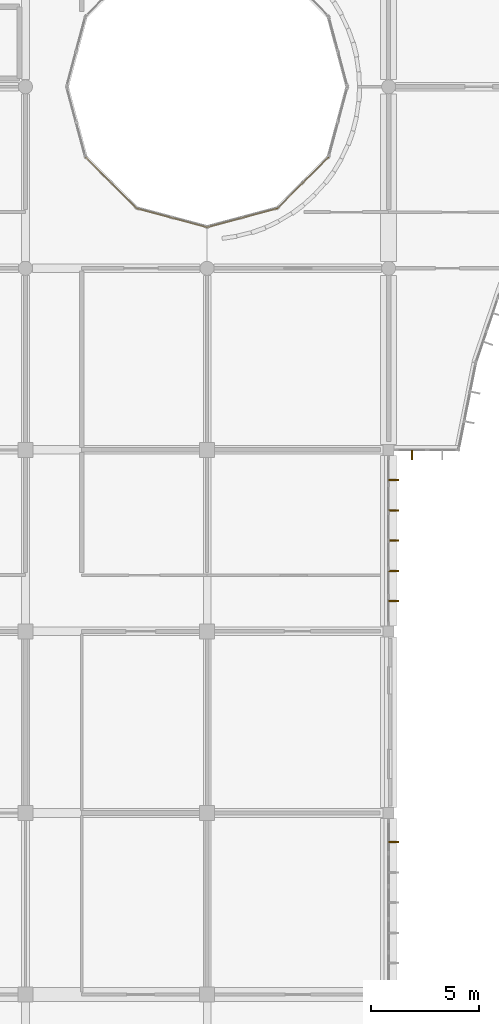
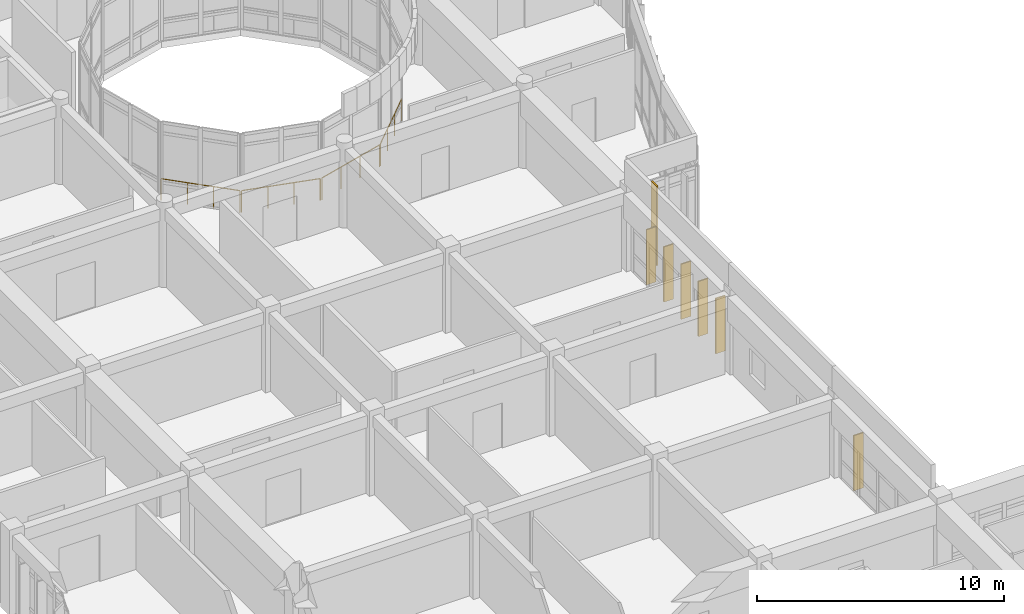
# One storey, part 107 of 119: 7 shading devices, 4 railings.
"""IFC4 building model written with IfcOpenShell, lengths in metres."""

import ifcopenshell
import ifcopenshell.guid

model = None  # the IFC model being written
_history = None  # IfcOwnerHistory: only IFC2X3 demands one
_inside = {}  # id of a spatial element -> (the spatial element, [elements in it])
_under = {}  # id of a project, library or spatial element -> (it, [spatial elements below it])
_declared = {}  # id of a project -> (the project, [libraries it declares])
_typed = {}  # id of a type object -> (the type object, [elements of that type])
_made_of = {}  # id of a material, layer set ... -> (it, [elements and type objects made of it])


def new_model(schema):
    """Start an empty IFC model of exactly this schema.

    Asked for "IFC4X3", IfcOpenShell would pick the latest addendum, in which some entities
    have other attributes; the version numbers below select the first issue.
    IFC2X3 requires an IfcOwnerHistory on every rooted entity: one is made here for all.
    """
    global model, _history
    if schema == "IFC4X3":
        model = ifcopenshell.file(schema_version=(4, 3, 0, 0))
    else:
        model = ifcopenshell.file(schema=schema)
    _inside.clear()
    _under.clear()
    _declared.clear()
    _typed.clear()
    _made_of.clear()
    _history = None
    if model.schema == "IFC2X3":
        org = make("IfcOrganization", Name="unknown")
        user = make(
            "IfcPersonAndOrganization",
            ThePerson=make("IfcPerson", FamilyName="unknown"),
            TheOrganization=org,
        )
        app = make(
            "IfcApplication",
            ApplicationDeveloper=org,
            Version="unknown",
            ApplicationFullName="unknown",
            ApplicationIdentifier="unknown",
        )
        _history = make(
            "IfcOwnerHistory",
            OwningUser=user,
            OwningApplication=app,
            ChangeAction="ADDED",
            CreationDate=0,
        )
    return model


def make(cls, **values):
    """One entity of the class cls with the attributes given. An attribute that is None is left unset."""
    return model.create_entity(
        cls, **{name: value for name, value in values.items() if value is not None}
    )


def rooted(cls, **values):
    """An entity with a GlobalId (a new one), such as an element, a storey or a relation."""
    return make(cls, GlobalId=ifcopenshell.guid.new(), OwnerHistory=_history, **values)


def si_unit(unit_type, name, prefix=None):
    """IfcSIUnit, for example si_unit("LENGTHUNIT", "METRE", prefix="MILLI")."""
    return make("IfcSIUnit", UnitType=unit_type, Prefix=prefix, Name=name)


def assignment(units):
    """IfcUnitAssignment: the units of a project."""
    return None if units is None else make("IfcUnitAssignment", Units=units)


def point(xyz):
    """IfcCartesianPoint."""
    return None if xyz is None else make("IfcCartesianPoint", Coordinates=xyz)


def direction(xyz):
    """IfcDirection."""
    return None if xyz is None else make("IfcDirection", DirectionRatios=xyz)


def frame(location, z_axis=None, x_axis=None):
    """IfcAxis2Placement3D, a coordinate frame: its origin and axes. An axis left out is left unset."""
    return make(
        "IfcAxis2Placement3D",
        Location=point(location),
        Axis=direction(z_axis),
        RefDirection=direction(x_axis),
    )


def frame_2d(location, x_axis=None):
    """IfcAxis2Placement2D, a coordinate frame in the plane: its origin and x axis."""
    return make(
        "IfcAxis2Placement2D", Location=point(location), RefDirection=direction(x_axis)
    )


def origin():
    """The frame at (0, 0, 0) with its axes left unset."""
    return frame((0.0, 0.0, 0.0))


def origin_2d():
    """The frame at (0, 0) in the plane with its x axis left unset."""
    return frame_2d((0.0, 0.0))


def place(relative_to, where):
    """IfcLocalPlacement: puts the frame where relative to a parent placement (None: the world)."""
    return make(
        "IfcLocalPlacement", PlacementRelTo=relative_to, RelativePlacement=where
    )


def context(
    kind, dimensions, precision=None, world=None, true_north=None, identifier=None
):
    """IfcGeometricRepresentationContext, for example the 3D "Model" context."""
    return make(
        "IfcGeometricRepresentationContext",
        ContextIdentifier=identifier,
        ContextType=kind,
        CoordinateSpaceDimension=dimensions,
        Precision=precision,
        WorldCoordinateSystem=world,
        TrueNorth=true_north,
    )


def subcontext(parent, identifier, kind, view, scale=None):
    """IfcGeometricRepresentationSubContext, for example "Body" below "Model"."""
    return make(
        "IfcGeometricRepresentationSubContext",
        ContextIdentifier=identifier,
        ContextType=kind,
        ParentContext=parent,
        TargetScale=scale,
        TargetView=view,
    )


def project(units=None, contexts=None):
    """IfcProject with its units and contexts."""
    return rooted(
        "IfcProject",
        Name="project",
        RepresentationContexts=contexts,
        UnitsInContext=assignment(units),
    )


def spatial(cls, under=None, at=None, **own):
    """A site, building, storey or space (cls), placed at a placement, below another one or the project."""
    s = rooted(cls, ObjectPlacement=at, **own)
    if under is not None:
        _under.setdefault(under.id(), (under, []))[1].append(s)
    return s


def profile(cls, at=None, kind="AREA", **sizes):
    """A parametric profile (cls). Its sizes go by their IFC names, for example OverallWidth=200.0."""
    return make(cls, ProfileType=kind, Position=at, **sizes)


def rectangle(**sizes):
    """IfcRectangleProfileDef."""
    return profile("IfcRectangleProfileDef", **sizes)


def circle(**sizes):
    """IfcCircleProfileDef."""
    return profile("IfcCircleProfileDef", **sizes)


def extrude(swept, where, along, depth):
    """IfcExtrudedAreaSolid: the profile swept, set in the frame where, extruded along a direction by depth."""
    return make(
        "IfcExtrudedAreaSolid",
        SweptArea=swept,
        Position=where,
        ExtrudedDirection=direction(along),
        Depth=depth,
    )


def shape(context_of_items, identifier, shape_type, items):
    """IfcShapeRepresentation: the items that make up one representation, for example the "Body"."""
    return make(
        "IfcShapeRepresentation",
        ContextOfItems=context_of_items,
        RepresentationIdentifier=identifier,
        RepresentationType=shape_type,
        Items=items,
    )


def material(Name=None, Category=None):
    """IfcMaterial."""
    return make("IfcMaterial", Name=Name, Category=Category)


def material_profile(
    of_material, cross_section, Name=None, Category=None, Priority=None
):
    """IfcMaterialProfile: a cross section and its material."""
    return make(
        "IfcMaterialProfile",
        Name=Name,
        Material=of_material,
        Profile=cross_section,
        Priority=Priority,
        Category=Category,
    )


def profile_set(profiles, Name=None, composite=None):
    """IfcMaterialProfileSet."""
    return make(
        "IfcMaterialProfileSet",
        Name=Name,
        MaterialProfiles=profiles,
        CompositeProfile=composite,
    )


def made_of(thing, what):
    """Note that an element or type object is made of a material, layer set ...; save() writes the relation."""
    if what is not None:
        _made_of.setdefault(what.id(), (what, []))[1].append(thing)
    return thing


def type_object(cls, material=None, **own):
    """A type object (cls), such as IfcWallType, which elements share."""
    return made_of(rooted(cls, **own), material)


def element(
    cls,
    number,
    at=None,
    inside=None,
    cuts=None,
    type_object=None,
    material=None,
    context=None,
    identifier="Body",
    shape_type=None,
    held_by="IfcProductDefinitionShape",
    body=None,
    shapes=None,
    **own,
):
    """One element of the class cls, such as IfcWall. Its Tag is "e" and its number.

    at: its placement. inside: the storey or other place that contains it. cuts: it is an
    opening in that element (IfcRelVoidsElement). A single representation is given by context,
    identifier, shape_type and body (its items); several are given by shapes. held_by: the class
    of the entity that holds the representations. save() writes the other relations.
    """
    e = rooted(cls, Tag="e%d" % number, ObjectPlacement=at, **own)
    if body is not None:
        shapes = [shape(context, identifier, shape_type, body)]
    if shapes is not None:
        e.Representation = make(held_by, Representations=shapes)
    if inside is not None:
        _inside.setdefault(inside.id(), (inside, []))[1].append(e)
    if cuts is not None:
        rooted(
            "IfcRelVoidsElement", RelatingBuildingElement=cuts, RelatedOpeningElement=e
        )
    if type_object is not None:
        _typed.setdefault(type_object.id(), (type_object, []))[1].append(e)
    return made_of(e, material)


def aggregate(whole, parts):
    """IfcRelAggregates: a whole, such as a stair, and the parts it consists of."""
    return rooted("IfcRelAggregates", RelatingObject=whole, RelatedObjects=parts)


def save(model, path):
    """Write the relations noted so far, then the file.

    IfcRelAggregates (storeys below a building ...), IfcRelContainedInSpatialStructure (elements
    in a storey), IfcRelDefinesByType, IfcRelAssociatesMaterial and IfcRelDeclares: one each for
    every whole, place, type object, material and project.
    """
    for whole, parts in _under.values():
        aggregate(whole, parts)
    for where, things in _inside.values():
        rooted(
            "IfcRelContainedInSpatialStructure",
            RelatedElements=things,
            RelatingStructure=where,
        )
    for kind, things in _typed.values():
        rooted("IfcRelDefinesByType", RelatedObjects=things, RelatingType=kind)
    for what, things in _made_of.values():
        rooted("IfcRelAssociatesMaterial", RelatedObjects=things, RelatingMaterial=what)
    for by, libraries in _declared.values():
        rooted("IfcRelDeclares", RelatingContext=by, RelatedDefinitions=libraries)
    model.write(path)


model = new_model("IFC4")

# Units and contexts
model_context = context("Model", 3, precision=1e-05, world=origin(), true_north=direction((0.0, 1.0)))
body_context = subcontext(model_context, "Body", "Model", "MODEL_VIEW")
ifc_project = project(units=[si_unit("LENGTHUNIT", "METRE"), si_unit("AREAUNIT", "SQUARE_METRE"), si_unit("VOLUMEUNIT", "CUBIC_METRE"), si_unit("PLANEANGLEUNIT", "RADIAN"), si_unit("MASSUNIT", "GRAM", prefix="KILO")], contexts=[model_context])

# Site, building, storey
site_placement = place(None, origin())
site = spatial("IfcSite", under=ifc_project, at=site_placement, CompositionType="ELEMENT")
building_placement = place(site_placement, origin())
building = spatial("IfcBuilding", under=site, at=building_placement, Name="Bramfleet General Hospital", CompositionType="ELEMENT")
storey_placement = place(building_placement, frame((0.0, 0.0, 14.39990234375)))
storey = spatial("IfcBuildingStorey", under=building, at=storey_placement, Name="L03", CompositionType="ELEMENT", Elevation=14.39990234375)

# Railings
ifc_material_1 = material(Name="Stainless steel 1.4401 safety balustrade", Category="steel")
railing_type = type_object("IfcRailingType", Name="RAIL-EXT-GUARD", PredefinedType="GUARDRAIL", material=ifc_material_1)
railing_1_placement = place(storey_placement, frame((111.993896484375, 63.922119140625, 0.0)))
element("IfcRailing", 1, at=railing_1_placement, inside=storey, type_object=railing_type, Name="L03 Safety Guard Rail 142", PredefinedType="GUARDRAIL", context=body_context, shape_type="SweptSolid", body=[
    extrude(circle(Radius=0.02392578125, at=origin_2d()), frame((0.0, 0.0, 1.076171875), z_axis=(0.707106781187, -0.707106781187, 0.0), x_axis=(0.707106781187, 0.707106781187, 0.0)), (0.0, 0.0, 1.0), 3.292724609375),
    extrude(circle(Radius=0.02099609375, at=origin_2d()), origin(), (0.0, 0.0, 1.0), 1.052001953125),
    extrude(circle(Radius=0.02099609375, at=origin_2d()), frame((0.776123046875, -0.776123046875, 0.0)), (0.0, 0.0, 1.0), 1.052001953125),
    extrude(circle(Radius=0.02099609375, at=origin_2d()), frame((1.55224609375, -1.55224609375, 0.0)), (0.0, 0.0, 1.0), 1.052001953125),
    extrude(circle(Radius=0.02099609375, at=origin_2d()), frame((2.328369140625, -2.328369140625, 0.0)), (0.0, 0.0, 1.0), 1.052001953125),
])
railing_2_placement = place(storey_placement, frame((114.3837890625, 61.55810546875, 0.0)))
element("IfcRailing", 2, at=railing_2_placement, inside=storey, type_object=railing_type, Name="L03 Safety Guard Rail 143", PredefinedType="GUARDRAIL", context=body_context, shape_type="SweptSolid", body=[
    extrude(circle(Radius=0.02392578125, at=origin_2d()), frame((0.0, 0.0, 1.076171875), z_axis=(0.965941433202, -0.258760792284, 0.0), x_axis=(0.258760792284, 0.965941433202, 0.0)), (0.0, 0.0, 1.0), 3.292724609375),
    extrude(circle(Radius=0.02099609375, at=origin_2d()), origin(), (0.0, 0.0, 1.0), 1.052001953125),
    extrude(circle(Radius=0.02099609375, at=origin_2d()), frame((1.060302734375, -0.283935546875, 0.0)), (0.0, 0.0, 1.0), 1.052001953125),
    extrude(circle(Radius=0.02099609375, at=origin_2d()), frame((2.120361328125, -0.568115234375, 0.0)), (0.0, 0.0, 1.0), 1.052001953125),
    extrude(circle(Radius=0.02099609375, at=origin_2d()), frame((3.1806640625, -0.85205078125, 0.0)), (0.0, 0.0, 1.0), 1.052001953125),
])
railing_3_placement = place(storey_placement, frame((117.635498046875, 60.7060546875, 0.0)))
element("IfcRailing", 3, at=railing_3_placement, inside=storey, type_object=railing_type, Name="L03 Safety Guard Rail 144", PredefinedType="GUARDRAIL", context=body_context, shape_type="SweptSolid", body=[
    extrude(circle(Radius=0.02392578125, at=origin_2d()), frame((0.0, 0.0, 1.076171875), z_axis=(0.965941433202, 0.258760792284, 0.0), x_axis=(-0.258760792284, 0.965941433202, 0.0)), (0.0, 0.0, 1.0), 3.292724609375),
    extrude(circle(Radius=0.02099609375, at=origin_2d()), origin(), (0.0, 0.0, 1.0), 1.052001953125),
    extrude(circle(Radius=0.02099609375, at=origin_2d()), frame((1.060302734375, 0.283935546875, 0.0)), (0.0, 0.0, 1.0), 1.052001953125),
    extrude(circle(Radius=0.02099609375, at=origin_2d()), frame((2.120361328125, 0.568115234375, 0.0)), (0.0, 0.0, 1.0), 1.052001953125),
    extrude(circle(Radius=0.02099609375, at=origin_2d()), frame((3.1806640625, 0.85205078125, 0.0)), (0.0, 0.0, 1.0), 1.052001953125),
])
railing_4_placement = place(storey_placement, frame((120.877685546875, 61.59375, 0.0)))
element("IfcRailing", 4, at=railing_4_placement, inside=storey, type_object=railing_type, Name="L03 Safety Guard Rail 145", PredefinedType="GUARDRAIL", context=body_context, shape_type="SweptSolid", body=[
    extrude(circle(Radius=0.02392578125, at=origin_2d()), frame((0.0, 0.0, 1.076171875), z_axis=(0.707143850033, 0.707069710397, 0.0), x_axis=(-0.707069710397, 0.707143850033, 0.0)), (0.0, 0.0, 1.0), 3.29296875),
    extrude(circle(Radius=0.02099609375, at=origin_2d()), origin(), (0.0, 0.0, 1.0), 1.052001953125),
    extrude(circle(Radius=0.02099609375, at=origin_2d()), frame((0.776123046875, 0.776123046875, 0.0)), (0.0, 0.0, 1.0), 1.052001953125),
    extrude(circle(Radius=0.02099609375, at=origin_2d()), frame((1.552490234375, 1.55224609375, 0.0)), (0.0, 0.0, 1.0), 1.052001953125),
    extrude(circle(Radius=0.02099609375, at=origin_2d()), frame((2.32861328125, 2.328369140625, 0.0)), (0.0, 0.0, 1.0), 1.052001953125),
])

# Shading devices
ifc_material_2 = material(Name="Treated European larch timber", Category="wood")
ifc_material_profile = material_profile(ifc_material_2, rectangle(XDim=0.06494140625, YDim=0.449951171875, at=origin_2d()), Name="LARCH FIN 450x65")
ifc_profile_set = profile_set([ifc_material_profile], Name="Treated European larch timber")
shading_device_type = type_object("IfcShadingDeviceType", Name="SHD-FIN-450", PredefinedType="USERDEFINED", material=ifc_profile_set)
shading_device_placement = place(storey_placement, frame((127.080078125, 50.159912109375, -0.02001953125), z_axis=(0.0, 0.0, 1.0), x_axis=(-1.0, 0.0, 0.0)))
element("IfcShadingDevice", 5, at=shading_device_placement, inside=storey, type_object=shading_device_type, Name="L03 Larch Timber Shading Fin 594", ObjectType="Fin", PredefinedType="USERDEFINED", context=body_context, shape_type="SweptSolid", body=[
    extrude(rectangle(XDim=0.06494140625, YDim=0.449951171875, at=origin_2d()), origin(), (0.0, 0.0, 1.0), 3.920166015625),
])
for number, where, z_axis, x_axis, name in (
    (6, (126.239990234375, 49.0, -0.02001953125), (0.0, 0.0, 1.0), (0.0, -1.0, 0.0), "L03 Larch Timber Shading Fin 595"),
    (7, (126.239990234375, 47.60009765625, -0.02001953125), (0.0, 0.0, 1.0), (0.0, -1.0, 0.0), "L03 Larch Timber Shading Fin 596"),
    (8, (126.239990234375, 46.199951171875, -0.02001953125), (0.0, 0.0, 1.0), (0.0, -1.0, 0.0), "L03 Larch Timber Shading Fin 597"),
    (9, (126.239990234375, 44.800048828125, -0.02001953125), (0.0, 0.0, 1.0), (0.0, -1.0, 0.0), "L03 Larch Timber Shading Fin 598"),
    (10, (126.239990234375, 43.39990234375, -0.02001953125), (0.0, 0.0, 1.0), (0.0, -1.0, 0.0), "L03 Larch Timber Shading Fin 599"),
    (11, (126.239990234375, 32.25, -0.02001953125), (0.0, 0.0, 1.0), (0.0, -1.0, 0.0), "L03 Larch Timber Shading Fin 600"),
):
    element("IfcShadingDevice", number, at=place(storey_placement, frame(where, z_axis=z_axis, x_axis=x_axis)), inside=storey, type_object=shading_device_type, Name=name, ObjectType="Fin", PredefinedType="USERDEFINED", context=body_context, shape_type="SweptSolid", body=[
        extrude(rectangle(XDim=0.06494140625, YDim=0.449951171875, at=origin_2d()), origin(), (0.0, 0.0, 1.0), 2.72021484375),
    ])

save(model, "model.ifc")
